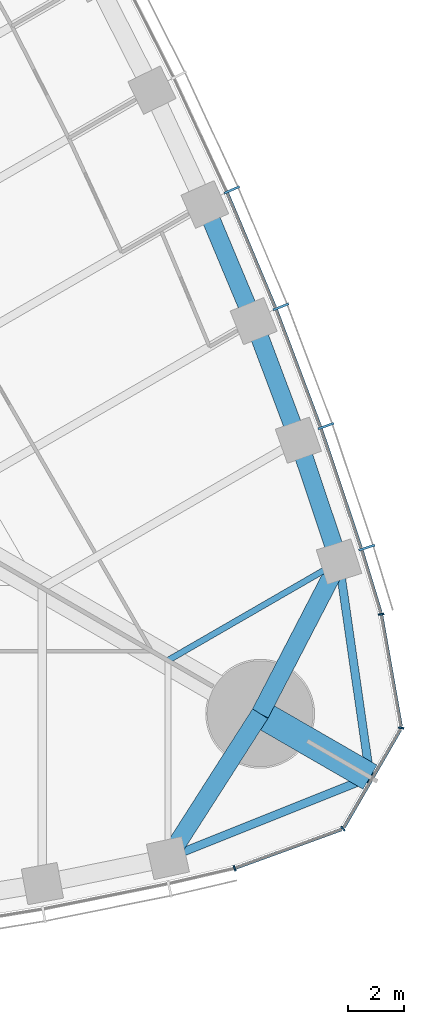
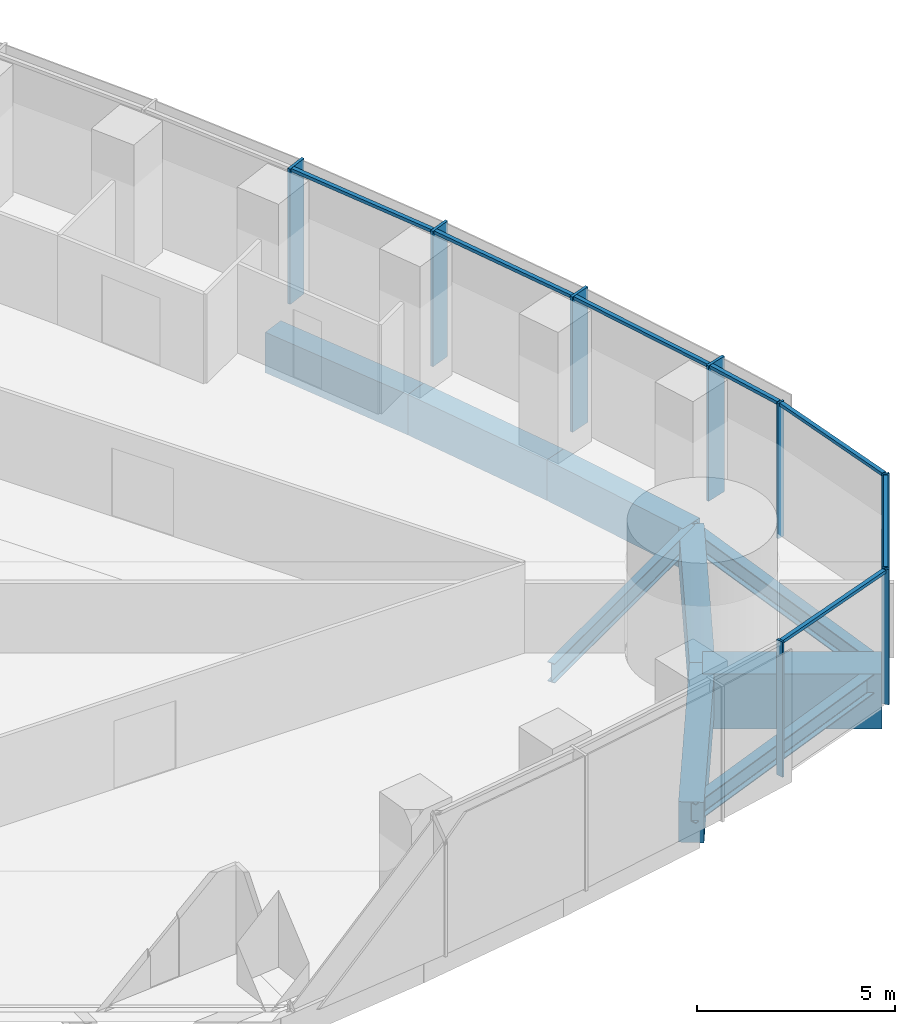
# One storey, part 8 of 19: 15 members, 9 beams, 2 elements without a shape of their own.
"""IFC4 building model written with IfcOpenShell, lengths in metres."""

import ifcopenshell
import ifcopenshell.guid

model = None  # the IFC model being written
_history = None  # IfcOwnerHistory: only IFC2X3 demands one
_inside = {}  # id of a spatial element -> (the spatial element, [elements in it])
_under = {}  # id of a project, library or spatial element -> (it, [spatial elements below it])
_declared = {}  # id of a project -> (the project, [libraries it declares])
_typed = {}  # id of a type object -> (the type object, [elements of that type])
_made_of = {}  # id of a material, layer set ... -> (it, [elements and type objects made of it])


def new_model(schema):
    """Start an empty IFC model of exactly this schema.

    Asked for "IFC4X3", IfcOpenShell would pick the latest addendum, in which some entities
    have other attributes; the version numbers below select the first issue.
    IFC2X3 requires an IfcOwnerHistory on every rooted entity: one is made here for all.
    """
    global model, _history
    if schema == "IFC4X3":
        model = ifcopenshell.file(schema_version=(4, 3, 0, 0))
    else:
        model = ifcopenshell.file(schema=schema)
    _inside.clear()
    _under.clear()
    _declared.clear()
    _typed.clear()
    _made_of.clear()
    _history = None
    if model.schema == "IFC2X3":
        org = make("IfcOrganization", Name="unknown")
        user = make(
            "IfcPersonAndOrganization",
            ThePerson=make("IfcPerson", FamilyName="unknown"),
            TheOrganization=org,
        )
        app = make(
            "IfcApplication",
            ApplicationDeveloper=org,
            Version="unknown",
            ApplicationFullName="unknown",
            ApplicationIdentifier="unknown",
        )
        _history = make(
            "IfcOwnerHistory",
            OwningUser=user,
            OwningApplication=app,
            ChangeAction="ADDED",
            CreationDate=0,
        )
    return model


def make(cls, **values):
    """One entity of the class cls with the attributes given. An attribute that is None is left unset."""
    return model.create_entity(
        cls, **{name: value for name, value in values.items() if value is not None}
    )


def rooted(cls, **values):
    """An entity with a GlobalId (a new one), such as an element, a storey or a relation."""
    return make(cls, GlobalId=ifcopenshell.guid.new(), OwnerHistory=_history, **values)


def si_unit(unit_type, name, prefix=None):
    """IfcSIUnit, for example si_unit("LENGTHUNIT", "METRE", prefix="MILLI")."""
    return make("IfcSIUnit", UnitType=unit_type, Prefix=prefix, Name=name)


def assignment(units):
    """IfcUnitAssignment: the units of a project."""
    return None if units is None else make("IfcUnitAssignment", Units=units)


def point(xyz):
    """IfcCartesianPoint."""
    return None if xyz is None else make("IfcCartesianPoint", Coordinates=xyz)


def direction(xyz):
    """IfcDirection."""
    return None if xyz is None else make("IfcDirection", DirectionRatios=xyz)


def frame(location, z_axis=None, x_axis=None):
    """IfcAxis2Placement3D, a coordinate frame: its origin and axes. An axis left out is left unset."""
    return make(
        "IfcAxis2Placement3D",
        Location=point(location),
        Axis=direction(z_axis),
        RefDirection=direction(x_axis),
    )


def frame_2d(location, x_axis=None):
    """IfcAxis2Placement2D, a coordinate frame in the plane: its origin and x axis."""
    return make(
        "IfcAxis2Placement2D", Location=point(location), RefDirection=direction(x_axis)
    )


def origin():
    """The frame at (0, 0, 0) with its axes left unset."""
    return frame((0.0, 0.0, 0.0))


def origin_2d():
    """The frame at (0, 0) in the plane with its x axis left unset."""
    return frame_2d((0.0, 0.0))


def place(relative_to, where):
    """IfcLocalPlacement: puts the frame where relative to a parent placement (None: the world)."""
    return make(
        "IfcLocalPlacement", PlacementRelTo=relative_to, RelativePlacement=where
    )


def context(
    kind, dimensions, precision=None, world=None, true_north=None, identifier=None
):
    """IfcGeometricRepresentationContext, for example the 3D "Model" context."""
    return make(
        "IfcGeometricRepresentationContext",
        ContextIdentifier=identifier,
        ContextType=kind,
        CoordinateSpaceDimension=dimensions,
        Precision=precision,
        WorldCoordinateSystem=world,
        TrueNorth=true_north,
    )


def subcontext(parent, identifier, kind, view, scale=None):
    """IfcGeometricRepresentationSubContext, for example "Body" below "Model"."""
    return make(
        "IfcGeometricRepresentationSubContext",
        ContextIdentifier=identifier,
        ContextType=kind,
        ParentContext=parent,
        TargetScale=scale,
        TargetView=view,
    )


def project(units=None, contexts=None):
    """IfcProject with its units and contexts."""
    return rooted(
        "IfcProject",
        Name="project",
        RepresentationContexts=contexts,
        UnitsInContext=assignment(units),
    )


def spatial(cls, under=None, at=None, **own):
    """A site, building, storey or space (cls), placed at a placement, below another one or the project."""
    s = rooted(cls, ObjectPlacement=at, **own)
    if under is not None:
        _under.setdefault(under.id(), (under, []))[1].append(s)
    return s


def profile(cls, at=None, kind="AREA", **sizes):
    """A parametric profile (cls). Its sizes go by their IFC names, for example OverallWidth=200.0."""
    return make(cls, ProfileType=kind, Position=at, **sizes)


def rectangle(**sizes):
    """IfcRectangleProfileDef."""
    return profile("IfcRectangleProfileDef", **sizes)


def i_section(**sizes):
    """IfcIShapeProfileDef."""
    return profile("IfcIShapeProfileDef", **sizes)


def extrude(swept, where, along, depth):
    """IfcExtrudedAreaSolid: the profile swept, set in the frame where, extruded along a direction by depth."""
    return make(
        "IfcExtrudedAreaSolid",
        SweptArea=swept,
        Position=where,
        ExtrudedDirection=direction(along),
        Depth=depth,
    )


def shape(context_of_items, identifier, shape_type, items):
    """IfcShapeRepresentation: the items that make up one representation, for example the "Body"."""
    return make(
        "IfcShapeRepresentation",
        ContextOfItems=context_of_items,
        RepresentationIdentifier=identifier,
        RepresentationType=shape_type,
        Items=items,
    )


def material(Name=None, Category=None):
    """IfcMaterial."""
    return make("IfcMaterial", Name=Name, Category=Category)


def material_profile(
    of_material, cross_section, Name=None, Category=None, Priority=None
):
    """IfcMaterialProfile: a cross section and its material."""
    return make(
        "IfcMaterialProfile",
        Name=Name,
        Material=of_material,
        Profile=cross_section,
        Priority=Priority,
        Category=Category,
    )


def profile_set(profiles, Name=None, composite=None):
    """IfcMaterialProfileSet."""
    return make(
        "IfcMaterialProfileSet",
        Name=Name,
        MaterialProfiles=profiles,
        CompositeProfile=composite,
    )


def made_of(thing, what):
    """Note that an element or type object is made of a material, layer set ...; save() writes the relation."""
    if what is not None:
        _made_of.setdefault(what.id(), (what, []))[1].append(thing)
    return thing


def type_object(cls, material=None, **own):
    """A type object (cls), such as IfcWallType, which elements share."""
    return made_of(rooted(cls, **own), material)


def element(
    cls,
    number,
    at=None,
    inside=None,
    cuts=None,
    type_object=None,
    material=None,
    context=None,
    identifier="Body",
    shape_type=None,
    held_by="IfcProductDefinitionShape",
    body=None,
    shapes=None,
    **own,
):
    """One element of the class cls, such as IfcWall. Its Tag is "e" and its number.

    at: its placement. inside: the storey or other place that contains it. cuts: it is an
    opening in that element (IfcRelVoidsElement). A single representation is given by context,
    identifier, shape_type and body (its items); several are given by shapes. held_by: the class
    of the entity that holds the representations. save() writes the other relations.
    """
    e = rooted(cls, Tag="e%d" % number, ObjectPlacement=at, **own)
    if body is not None:
        shapes = [shape(context, identifier, shape_type, body)]
    if shapes is not None:
        e.Representation = make(held_by, Representations=shapes)
    if inside is not None:
        _inside.setdefault(inside.id(), (inside, []))[1].append(e)
    if cuts is not None:
        rooted(
            "IfcRelVoidsElement", RelatingBuildingElement=cuts, RelatedOpeningElement=e
        )
    if type_object is not None:
        _typed.setdefault(type_object.id(), (type_object, []))[1].append(e)
    return made_of(e, material)


def aggregate(whole, parts):
    """IfcRelAggregates: a whole, such as a stair, and the parts it consists of."""
    return rooted("IfcRelAggregates", RelatingObject=whole, RelatedObjects=parts)


def save(model, path):
    """Write the relations noted so far, then the file.

    IfcRelAggregates (storeys below a building ...), IfcRelContainedInSpatialStructure (elements
    in a storey), IfcRelDefinesByType, IfcRelAssociatesMaterial and IfcRelDeclares: one each for
    every whole, place, type object, material and project.
    """
    for whole, parts in _under.values():
        aggregate(whole, parts)
    for where, things in _inside.values():
        rooted(
            "IfcRelContainedInSpatialStructure",
            RelatedElements=things,
            RelatingStructure=where,
        )
    for kind, things in _typed.values():
        rooted("IfcRelDefinesByType", RelatedObjects=things, RelatingType=kind)
    for what, things in _made_of.values():
        rooted("IfcRelAssociatesMaterial", RelatedObjects=things, RelatingMaterial=what)
    for by, libraries in _declared.values():
        rooted("IfcRelDeclares", RelatingContext=by, RelatedDefinitions=libraries)
    model.write(path)


model = new_model("IFC4")

# Units and contexts
model_context = context("Model", 3, precision=1e-05, world=origin(), true_north=direction((0.0, 1.0)))
body_context = subcontext(model_context, "Body", "Model", "MODEL_VIEW")
ifc_project = project(units=[si_unit("LENGTHUNIT", "METRE"), si_unit("AREAUNIT", "SQUARE_METRE"), si_unit("VOLUMEUNIT", "CUBIC_METRE"), si_unit("PLANEANGLEUNIT", "RADIAN"), si_unit("MASSUNIT", "GRAM", prefix="KILO")], contexts=[model_context])

# Site, building, storey
site_placement = place(None, origin())
site = spatial("IfcSite", under=ifc_project, at=site_placement, CompositionType="ELEMENT")
building_placement = place(site_placement, origin())
building = spatial("IfcBuilding", under=site, at=building_placement, Name="Trefoil Bronze Tower", CompositionType="ELEMENT")
storey_placement = place(building_placement, frame((0.0, 0.0, 119.89990234375)))
storey = spatial("IfcBuildingStorey", under=building, at=storey_placement, Name="L27", CompositionType="ELEMENT", Elevation=119.89990234375)

# Curtain wall, members
ifc_material_1 = material(Name="Tinted solar-control glass", Category="glass")
curtain_wall_type_1 = type_object("IfcCurtainWallType", Name="Bronze office curtain wall", PredefinedType="USERDEFINED", material=ifc_material_1)
curtain_wall_1_placement = place(storey_placement, origin())
curtain_wall_1 = element("IfcCurtainWall", 1, at=curtain_wall_1_placement, inside=storey, type_object=curtain_wall_type_1, Name="CW-A L27 F2", ObjectType="CURTAIN WALL", PredefinedType="USERDEFINED")
ifc_material_2 = material(Name="Bronze-finish aluminium", Category="aluminium")
ifc_material_profile_1 = material_profile(ifc_material_2, rectangle(XDim=0.60009765625, YDim=0.080078125, at=origin_2d()), Name="CW-A mullion")
ifc_profile_set_1 = profile_set([ifc_material_profile_1], Name="Bronze-finish aluminium")
member_type_1 = type_object("IfcMemberType", Name="Bronze office curtain wall mullion", PredefinedType="MULLION", material=ifc_profile_set_1)
member_1_placement = place(storey_placement, frame((34.1337890625, -11.543212890625, 0.0), z_axis=(0.0, 0.0, 1.0), x_axis=(-0.952331125357, -0.30506626768, 0.0)))
member_1 = element("IfcMember", 2, at=member_1_placement, type_object=member_type_1, Name="CW-A L27 F2 mullion 2", PredefinedType="MULLION", context=body_context, shape_type="SweptSolid", body=[
    extrude(rectangle(XDim=0.60009765625, YDim=0.080078125, at=origin_2d()), origin(), (0.0, 0.0, 1.0), 4.18017578125),
])
member_2_placement = place(storey_placement, frame((32.668701171875, -7.181884765625, 0.0), z_axis=(0.0, 0.0, 1.0), x_axis=(-0.94196250502, -0.335718094742, 0.0)))
member_2 = element("IfcMember", 3, at=member_2_placement, type_object=member_type_1, Name="CW-A L27 F2 mullion 3", PredefinedType="MULLION", context=body_context, shape_type="SweptSolid", body=[
    extrude(rectangle(XDim=0.60009765625, YDim=0.080078125, at=origin_2d()), origin(), (0.0, 0.0, 1.0), 4.18017578125),
])
member_3_placement = place(storey_placement, frame((31.055419921875, -2.90478515625, 0.0), z_axis=(0.0, 0.0, 1.0), x_axis=(-0.929071242848, -0.369900832269, 0.0)))
member_3 = element("IfcMember", 4, at=member_3_placement, type_object=member_type_1, Name="CW-A L27 F2 mullion 4", PredefinedType="MULLION", context=body_context, shape_type="SweptSolid", body=[
    extrude(rectangle(XDim=0.60009765625, YDim=0.080078125, at=origin_2d()), origin(), (0.0, 0.0, 1.0), 4.18017578125),
])
member_4_placement = place(storey_placement, frame((29.296875, 1.28857421875, 0.0), z_axis=(0.0, 0.0, 1.0), x_axis=(-0.915018269914, -0.40341240155, 0.0)))
member_4 = element("IfcMember", 5, at=member_4_placement, type_object=member_type_1, Name="CW-A L27 F2 mullion 5", PredefinedType="MULLION", context=body_context, shape_type="SweptSolid", body=[
    extrude(rectangle(XDim=0.60009765625, YDim=0.080078125, at=origin_2d()), origin(), (0.0, 0.0, 1.0), 4.18017578125),
])
ifc_material_3 = material(Name="Bronze-finish aluminium", Category="aluminium")
ifc_material_profile_2 = material_profile(ifc_material_3, rectangle(XDim=0.1201171875, YDim=0.10009765625, at=origin_2d()), Name="CW-A transom")
ifc_profile_set_2 = profile_set([ifc_material_profile_2], Name="Bronze-finish aluminium")
member_type_2 = type_object("IfcMemberType", Name="Bronze office curtain wall transom", PredefinedType="USERDEFINED", material=ifc_profile_set_2)
member_5_placement = place(storey_placement, frame((34.637939453125, -13.88232421875, 4.130126953125), z_axis=(-0.291680468798, 0.956515814883, 0.0), x_axis=(-0.956515814883, -0.291680468798, 0.0)))
member_5 = element("IfcMember", 6, at=member_5_placement, type_object=member_type_2, Name="CW-A L27 F2 transom 1", ObjectType="TRANSOM", PredefinedType="USERDEFINED", context=body_context, shape_type="SweptSolid", body=[
    extrude(rectangle(XDim=0.1201171875, YDim=0.10009765625, at=origin_2d()), origin(), (0.0, 0.0, 1.0), 2.34033203125),
])
member_6_placement = place(storey_placement, frame((33.929931640625, -11.56494140625, 4.130126953125), z_axis=(-0.318386323729, 0.947961048178, 0.0), x_axis=(-0.947961048178, -0.318386323729, 0.0)))
member_6 = element("IfcMember", 7, at=member_6_placement, type_object=member_type_2, Name="CW-A L27 F2 transom 2", ObjectType="TRANSOM", PredefinedType="USERDEFINED", context=body_context, shape_type="SweptSolid", body=[
    extrude(rectangle(XDim=0.1201171875, YDim=0.10009765625, at=origin_2d()), origin(), (0.0, 0.0, 1.0), 4.51123046875),
])
member_7_placement = place(storey_placement, frame((32.465576171875, -7.2099609375, 4.130126953125), z_axis=(-0.352932154759, 0.935648916067, 0.0), x_axis=(-0.935648916067, -0.352932154759, 0.0)))
member_7 = element("IfcMember", 8, at=member_7_placement, type_object=member_type_2, Name="CW-A L27 F2 transom 3", ObjectType="TRANSOM", PredefinedType="USERDEFINED", context=body_context, shape_type="SweptSolid", body=[
    extrude(rectangle(XDim=0.1201171875, YDim=0.10009765625, at=origin_2d()), origin(), (0.0, 0.0, 1.0), 4.48046875),
])
member_8_placement = place(storey_placement, frame((30.853515625, -2.940185546875, 4.130126953125), z_axis=(-0.386773266184, 0.922174842731, 0.0), x_axis=(-0.922174842731, -0.386773266184, 0.0)))
member_8 = element("IfcMember", 9, at=member_8_placement, type_object=member_type_2, Name="CW-A L27 F2 transom 4", ObjectType="TRANSOM", PredefinedType="USERDEFINED", context=body_context, shape_type="SweptSolid", body=[
    extrude(rectangle(XDim=0.1201171875, YDim=0.10009765625, at=origin_2d()), origin(), (0.0, 0.0, 1.0), 4.45654296875),
])
aggregate(curtain_wall_1, [member_1, member_2, member_3, member_4, member_5, member_6, member_7, member_8])

ifc_material_4 = material(Name="Tinted solar-control glass", Category="glass")
curtain_wall_type_2 = type_object("IfcCurtainWallType", Name="Bronze rounded corner curtain wall", PredefinedType="USERDEFINED", material=ifc_material_4)
curtain_wall_2_placement = place(storey_placement, origin())
curtain_wall_2 = element("IfcCurtainWall", 10, at=curtain_wall_2_placement, inside=storey, type_object=curtain_wall_type_2, Name="CW-B L27 K1", ObjectType="CURTAIN WALL", PredefinedType="USERDEFINED")
ifc_material_5 = material(Name="Bronze-finish aluminium", Category="aluminium")
ifc_material_profile_3 = material_profile(ifc_material_5, rectangle(XDim=0.199951171875, YDim=0.06005859375, at=origin_2d()), Name="CW-B mullion")
ifc_profile_set_3 = profile_set([ifc_material_profile_3], Name="Bronze-finish aluminium")
member_type_3 = type_object("IfcMemberType", Name="Bronze rounded corner curtain wall mullion", PredefinedType="MULLION", material=ifc_profile_set_3)
member_9_placement = place(storey_placement, frame((29.391845703125, -23.043701171875, 0.0), z_axis=(0.0, 0.0, 1.0), x_axis=(-0.342020143326, 0.939692620786, 0.0)))
member_9 = element("IfcMember", 11, at=member_9_placement, type_object=member_type_3, Name="CW-B L27 K1 mullion 1", PredefinedType="MULLION", context=body_context, shape_type="SweptSolid", body=[
    extrude(rectangle(XDim=0.199951171875, YDim=0.06005859375, at=origin_2d()), origin(), (0.0, 0.0, 1.0), 4.18017578125),
])
member_10_placement = place(storey_placement, frame((33.27880859375, -21.62255859375, 0.0), z_axis=(0.0, 0.0, 1.0), x_axis=(-0.642787609687, 0.766044443119, 0.0)))
member_10 = element("IfcMember", 12, at=member_10_placement, type_object=member_type_3, Name="CW-B L27 K1 mullion 2", PredefinedType="MULLION", context=body_context, shape_type="SweptSolid", body=[
    extrude(rectangle(XDim=0.199951171875, YDim=0.06005859375, at=origin_2d()), origin(), (0.0, 0.0, 1.0), 4.18017578125),
])
member_11_placement = place(storey_placement, frame((35.364990234375, -18.009033203125, 0.0), z_axis=(0.0, 0.0, 1.0), x_axis=(-0.984807753012, 0.173648177667, 0.0)))
member_11 = element("IfcMember", 13, at=member_11_placement, type_object=member_type_3, Name="CW-B L27 K1 mullion 3", PredefinedType="MULLION", context=body_context, shape_type="SweptSolid", body=[
    extrude(rectangle(XDim=0.199951171875, YDim=0.06005859375, at=origin_2d()), origin(), (0.0, 0.0, 1.0), 4.18017578125),
])
member_12_placement = place(storey_placement, frame((34.65234375, -13.932373046875, 0.0), z_axis=(0.0, 0.0, 1.0), x_axis=(-0.984807753012, -0.173648177667, 0.0)))
member_12 = element("IfcMember", 14, at=member_12_placement, type_object=member_type_3, Name="CW-B L27 K1 mullion 4", PredefinedType="MULLION", context=body_context, shape_type="SweptSolid", body=[
    extrude(rectangle(XDim=0.199951171875, YDim=0.06005859375, at=origin_2d()), origin(), (0.0, 0.0, 1.0), 4.18017578125),
])
ifc_material_6 = material(Name="Bronze-finish aluminium", Category="aluminium")
ifc_material_profile_4 = material_profile(ifc_material_6, rectangle(XDim=0.1201171875, YDim=0.10009765625, at=origin_2d()), Name="CW-B transom")
ifc_profile_set_4 = profile_set([ifc_material_profile_4], Name="Bronze-finish aluminium")
member_type_4 = type_object("IfcMemberType", Name="Bronze rounded corner curtain wall transom", PredefinedType="USERDEFINED", material=ifc_profile_set_4)
member_13_placement = place(storey_placement, frame((29.420166015625, -23.033447265625, 4.130126953125), z_axis=(0.939684096629, 0.342043562347, 0.0), x_axis=(-0.342043562347, 0.939684096629, 0.0)))
member_13 = element("IfcMember", 15, at=member_13_placement, type_object=member_type_4, Name="CW-B L27 K1 transom 1", ObjectType="TRANSOM", PredefinedType="USERDEFINED", context=body_context, shape_type="SweptSolid", body=[
    extrude(rectangle(XDim=0.1201171875, YDim=0.10009765625, at=origin_2d()), origin(), (0.0, 0.0, 1.0), 4.044189453125),
])
member_14_placement = place(storey_placement, frame((33.31591796875, -21.570068359375, 4.130126953125), z_axis=(0.500015078168, 0.866016698225, 0.0), x_axis=(-0.866016698225, 0.500015078168, 0.0)))
member_14 = element("IfcMember", 16, at=member_14_placement, type_object=member_type_4, Name="CW-B L27 K1 transom 2", ObjectType="TRANSOM", PredefinedType="USERDEFINED", context=body_context, shape_type="SweptSolid", body=[
    extrude(rectangle(XDim=0.1201171875, YDim=0.10009765625, at=origin_2d()), origin(), (0.0, 0.0, 1.0), 4.04443359375),
])
member_15_placement = place(storey_placement, frame((35.35986328125, -17.944580078125, 4.130126953125), z_axis=(-0.173682016639, 0.984801785689, 0.0), x_axis=(-0.984801785689, -0.173682016639, 0.0)))
member_15 = element("IfcMember", 17, at=member_15_placement, type_object=member_type_4, Name="CW-B L27 K1 transom 3", ObjectType="TRANSOM", PredefinedType="USERDEFINED", context=body_context, shape_type="SweptSolid", body=[
    extrude(rectangle(XDim=0.1201171875, YDim=0.10009765625, at=origin_2d()), origin(), (0.0, 0.0, 1.0), 4.044189453125),
])
aggregate(curtain_wall_2, [member_9, member_10, member_11, member_12, member_13, member_14, member_15])

# Beams
ifc_material_7 = material(Name="Concrete B80", Category="concrete")
ifc_material_profile_5 = material_profile(ifc_material_7, rectangle(XDim=1.0, YDim=1.699951171875, at=origin_2d()), Name="RC 1000x1700")
ifc_profile_set_5 = profile_set([ifc_material_profile_5], Name="Concrete B80")
beam_type_1 = type_object("IfcBeamType", Name="Corner cantilever RC 1000x1700", PredefinedType="BEAM", material=ifc_profile_set_5)
beam_1_placement = place(storey_placement, frame((30.310791015625, -17.5, -1.0498046875), z_axis=(0.866031878637, -0.499988785058, 0.0), x_axis=(0.499988785058, 0.866031878637, 0.0)))
element("IfcBeam", 18, at=beam_1_placement, inside=storey, type_object=beam_type_1, Name="Corner cantilever K1 L27", PredefinedType="BEAM", context=body_context, shape_type="SweptSolid", body=[
    extrude(rectangle(XDim=1.0, YDim=1.699951171875, at=origin_2d()), origin(), (0.0, 0.0, 1.0), 4.54931640625),
])
ifc_material_8 = material(Name="Steel C355", Category="steel")
ifc_material_profile_6 = material_profile(ifc_material_8, i_section(OverallWidth=0.300048828125, OverallDepth=0.60009765625, WebThickness=0.015380859375, FlangeThickness=0.030029296875, FilletRadius=0.027099609375, at=origin_2d()), Name="HEB 600")
ifc_profile_set_6 = profile_set([ifc_material_profile_6], Name="Steel C355")
beam_type_2 = type_object("IfcBeamType", Name="Corner edge beam HEB 600", PredefinedType="BEAM", material=ifc_profile_set_6)
for number, where, z_axis, x_axis, name in (
    (19, (27.0, -22.67724609375, -0.5), (0.928375332495, 0.371643972122, 0.0), (-0.371643972122, 0.928375332495, 0.0), "Corner edge beam F1A L27"),
    (20, (33.13916015625, -12.044189453125, -0.5), (0.142327214588, -0.989819662357, 0.0), (0.989819662357, 0.142327214588, 0.0), "Corner edge beam F2B L27"),
):
    element("IfcBeam", number, at=place(storey_placement, frame(where, z_axis=z_axis, x_axis=x_axis)), inside=storey, type_object=beam_type_2, Name=name, PredefinedType="BEAM", context=body_context, shape_type="SweptSolid", body=[
        extrude(i_section(OverallWidth=0.300048828125, OverallDepth=0.60009765625, WebThickness=0.015380859375, FlangeThickness=0.030029296875, FilletRadius=0.027099609375, at=origin_2d()), origin(), (0.0, 0.0, 1.0), 7.81005859375),
    ])
ifc_material_9 = material(Name="Concrete B80", Category="concrete")
ifc_material_profile_7 = material_profile(ifc_material_9, rectangle(XDim=0.64990234375, YDim=1.25, at=origin_2d()), Name="RC 650x1250")
ifc_profile_set_7 = profile_set([ifc_material_profile_7], Name="Concrete B80")
beam_type_3 = type_object("IfcBeamType", Name="End spandrel beam RC 650x1250", PredefinedType="SPANDREL", material=ifc_profile_set_7)
for number, where, z_axis, x_axis, name in (
    (21, (27.0, -22.67724609375, -0.824951171875), (0.53874814953, 0.84246687257, 0.0), (-0.84246687257, 0.53874814953, 0.0), "Spandrel F1.14 L27"),
    (22, (30.310791015625, -17.5, -0.824951171875), (0.460244107083, 0.887792409235, 0.0), (-0.887792409235, 0.460244107083, 0.0), "Spandrel F2.1 L27"),
):
    element("IfcBeam", number, at=place(storey_placement, frame(where, z_axis=z_axis, x_axis=x_axis)), inside=storey, type_object=beam_type_3, Name=name, PredefinedType="SPANDREL", context=body_context, shape_type="SweptSolid", body=[
        extrude(rectangle(XDim=0.64990234375, YDim=1.25, at=origin_2d()), origin(), (0.0, 0.0, 1.0), 6.145263671875),
    ])
ifc_material_10 = material(Name="Steel C355", Category="steel")
ifc_material_profile_8 = material_profile(ifc_material_10, i_section(OverallWidth=0.219970703125, OverallDepth=0.60009765625, WebThickness=0.011962890625, FlangeThickness=0.01904296875, FilletRadius=0.02392578125, at=origin_2d()), Name="IPE 600")
ifc_profile_set_8 = profile_set([ifc_material_profile_8], Name="Steel C355")
beam_type_4 = type_object("IfcBeamType", Name="Floor beam IPE 600", PredefinedType="BEAM", material=ifc_profile_set_8)
beam_2_placement = place(storey_placement, frame((33.13916015625, -12.044189453125, -0.5), z_axis=(-0.866041060244, -0.499972881236, 0.0), x_axis=(0.499972881236, -0.866041060244, 0.0)))
element("IfcBeam", 23, at=beam_2_placement, inside=storey, type_object=beam_type_4, Name="Floor beam F2/-6 L27", PredefinedType="BEAM", context=body_context, shape_type="SweptSolid", body=[
    extrude(i_section(OverallWidth=0.219970703125, OverallDepth=0.60009765625, WebThickness=0.011962890625, FlangeThickness=0.01904296875, FilletRadius=0.02392578125, at=origin_2d()), origin(), (0.0, 0.0, 1.0), 7.0888671875),
])
ifc_material_11 = material(Name="Concrete B80", Category="concrete")
ifc_material_profile_9 = material_profile(ifc_material_11, rectangle(XDim=0.64990234375, YDim=1.25, at=origin_2d()), Name="RC 650x1250")
ifc_profile_set_9 = profile_set([ifc_material_profile_9], Name="Concrete B80")
beam_type_5 = type_object("IfcBeamType", Name="Spandrel beam RC 650x1250", PredefinedType="SPANDREL", material=ifc_profile_set_9)
beam_3_placement = place(storey_placement, frame((33.13916015625, -12.044189453125, -0.824951171875), z_axis=(-0.31732802068, 0.948315837309, 0.0), x_axis=(-0.948315837309, -0.31732802068, 0.0)))
element("IfcBeam", 24, at=beam_3_placement, inside=storey, type_object=beam_type_5, Name="Spandrel F2.2 L27", PredefinedType="SPANDREL", context=body_context, shape_type="SweptSolid", body=[
    extrude(rectangle(XDim=0.64990234375, YDim=1.25, at=origin_2d()), origin(), (0.0, 0.0, 1.0), 4.59228515625),
])
beam_4_placement = place(storey_placement, frame((31.681884765625, -7.689208984375, -0.824951171875), z_axis=(-0.351938675523, 0.936023059904, 0.0), x_axis=(-0.936023059904, -0.351938675523, 0.0)))
element("IfcBeam", 25, at=beam_4_placement, inside=storey, type_object=beam_type_5, Name="Spandrel F2.3 L27", PredefinedType="SPANDREL", context=body_context, shape_type="SweptSolid", body=[
    extrude(rectangle(XDim=0.64990234375, YDim=1.25, at=origin_2d()), origin(), (0.0, 0.0, 1.0), 4.56103515625),
])
beam_5_placement = place(storey_placement, frame((30.07666015625, -3.419921875, -0.824951171875), z_axis=(-0.386013490858, 0.922493135408, 0.0), x_axis=(-0.922493135408, -0.386013490858, 0.0)))
element("IfcBeam", 26, at=beam_5_placement, inside=storey, type_object=beam_type_5, Name="Spandrel F2.4 L27", PredefinedType="SPANDREL", context=body_context, shape_type="SweptSolid", body=[
    extrude(rectangle(XDim=0.64990234375, YDim=1.25, at=origin_2d()), origin(), (0.0, 0.0, 1.0), 4.53662109375),
])

save(model, "model.ifc")
